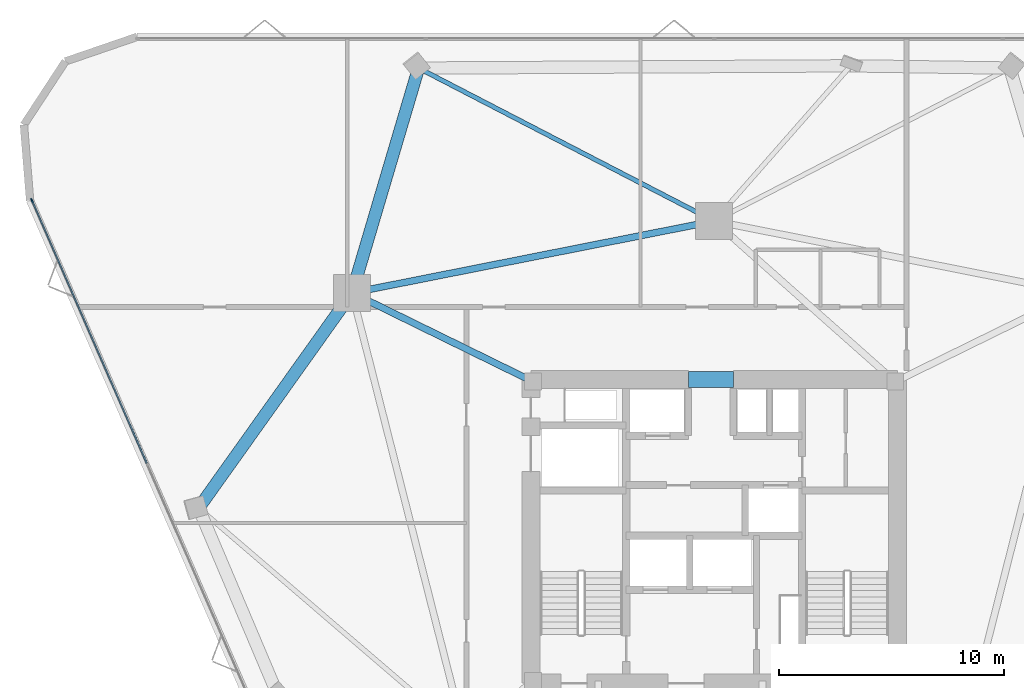
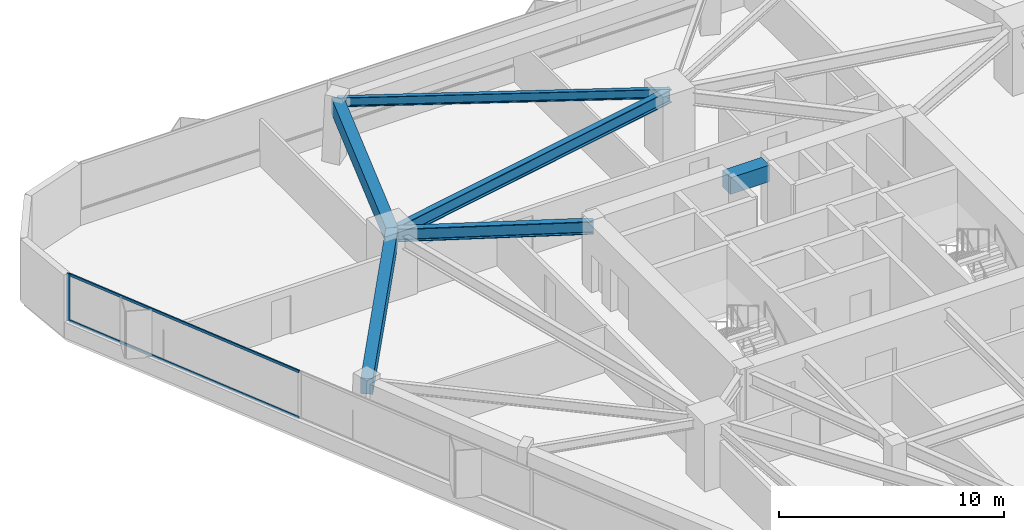
# One storey, part 6 of 16: 6 beams, 3 members, 1 element without a shape of its own.
"""IFC4 building model written with IfcOpenShell, lengths in metres."""

from ifc_helpers import new_model, si_unit, direction, frame, origin, origin_2d, place, context, subcontext, project, spatial, rectangle, i_section, extrude, material, layer, layer_set, material_profile, profile_set, type_object, element, aggregate, save


model = new_model("IFC4")

# Units and contexts
model_context = context("Model", 3, precision=1e-05, world=origin(), true_north=direction((0.0, 1.0)))
body_context = subcontext(model_context, "Body", "Model", "MODEL_VIEW")
ifc_project = project(units=[si_unit("LENGTHUNIT", "METRE"), si_unit("AREAUNIT", "SQUARE_METRE"), si_unit("VOLUMEUNIT", "CUBIC_METRE"), si_unit("PLANEANGLEUNIT", "RADIAN"), si_unit("MASSUNIT", "GRAM", prefix="KILO")], contexts=[model_context])

# Site, building, storey
site_placement = place(None, origin())
site = spatial("IfcSite", under=ifc_project, at=site_placement, CompositionType="ELEMENT")
building_placement = place(site_placement, origin())
building = spatial("IfcBuilding", under=site, at=building_placement, Name="Talyreon Biosciences Tower", CompositionType="ELEMENT")
storey_placement = place(building_placement, frame((0.0, 0.0, 107.85009765625)))
storey = spatial("IfcBuildingStorey", under=building, at=storey_placement, Name="L28", CompositionType="ELEMENT", Elevation=107.85009765625)

# Curtain wall, members
ifc_material_1 = material(Name="Thermally broken aluminium and low-E glazing", Category="aluminium")
ifc_layer = layer(ifc_material_1, 0.18994140625)
ifc_layer_set = layer_set([ifc_layer], Name="Thermally broken aluminium and low-E glazing")
curtain_wall_type = type_object("IfcCurtainWallType", Name="CurtainWall_Zone2Genomics", PredefinedType="NOTDEFINED", material=ifc_layer_set)
curtain_wall_placement = place(storey_placement, origin())
curtain_wall = element("IfcCurtainWall", 1, at=curtain_wall_placement, inside=storey, type_object=curtain_wall_type, Name="L28 Unitised Curtain Wall FCW-L28-00", PredefinedType="NOTDEFINED")
ifc_material_2 = material(Name="Anodised thermally broken aluminium", Category="aluminium")
ifc_material_profile_1 = material_profile(ifc_material_2, rectangle(XDim=0.06494140625, YDim=0.179931640625, at=origin_2d()), Name="ALUM MULLION 65x180")
ifc_profile_set_1 = profile_set([ifc_material_profile_1], Name="Anodised thermally broken aluminium")
member_type_1 = type_object("IfcMemberType", Name="CWMullion_65x180", PredefinedType="MULLION", material=ifc_profile_set_1)
member_1_placement = place(storey_placement, frame((35.66748046875, 82.706787109375, 0.809814453125), z_axis=(0.0, 0.0, 1.0), x_axis=(-0.9163461482, -0.400386983653, 0.0)))
member_1 = element("IfcMember", 2, at=member_1_placement, type_object=member_type_1, Name="CW3 mullion 6", PredefinedType="MULLION", context=body_context, shape_type="SweptSolid", body=[
    extrude(rectangle(XDim=0.06494140625, YDim=0.179931640625, at=origin_2d()), origin(), (0.0, 0.0, 1.0), 2.565185546875),
])
ifc_material_profile_2 = material_profile(ifc_material_2, rectangle(XDim=0.06494140625, YDim=0.139892578125, at=origin_2d()), Name="ALUM TRANSOM 65x140")
ifc_profile_set_2 = profile_set([ifc_material_profile_2], Name="Anodised thermally broken aluminium")
member_type_2 = type_object("IfcMemberType", Name="CWTransom_65x140", PredefinedType="USERDEFINED", material=ifc_profile_set_2)
member_2_placement = place(storey_placement, frame((40.772216796875, 71.02392578125, 0.84228515625), z_axis=(-0.400394797159, 0.916342734138, 0.0), x_axis=(-0.916342734138, -0.400394797159, 0.0)))
member_2 = element("IfcMember", 3, at=member_2_placement, type_object=member_type_2, Name="CW3 transom 5.1", ObjectType="TRANSOM", PredefinedType="USERDEFINED", context=body_context, shape_type="SweptSolid", body=[
    extrude(rectangle(XDim=0.06494140625, YDim=0.139892578125, at=origin_2d()), origin(), (0.0, 0.0, 1.0), 12.717041015625),
])
member_3_placement = place(storey_placement, frame((40.772216796875, 71.02392578125, 3.34228515625), z_axis=(-0.400394797159, 0.916342734138, 0.0), x_axis=(-0.916342734138, -0.400394797159, 0.0)))
member_3 = element("IfcMember", 4, at=member_3_placement, type_object=member_type_2, Name="CW3 transom 5.2", ObjectType="TRANSOM", PredefinedType="USERDEFINED", context=body_context, shape_type="SweptSolid", body=[
    extrude(rectangle(XDim=0.06494140625, YDim=0.139892578125, at=origin_2d()), origin(), (0.0, 0.0, 1.0), 12.717041015625),
])
aggregate(curtain_wall, [member_1, member_2, member_3])

# Beams
ifc_material_3 = material(Name="Concrete C60/75", Category="concrete")
ifc_material_profile_3 = material_profile(ifc_material_3, rectangle(XDim=0.699951171875, YDim=0.89990234375, at=origin_2d()), Name="RCB 700x900")
ifc_profile_set_3 = profile_set([ifc_material_profile_3], Name="Concrete C60/75")
beam_type_1 = type_object("IfcBeamType", Name="CoreCouplingLintel_700x900", PredefinedType="LINTEL", material=ifc_profile_set_3)
beam_1_placement = place(storey_placement, frame((64.85009765625, 74.75, 2.9248046875), z_axis=(1.0, 0.0, 0.0), x_axis=(0.0, 1.0, 0.0)))
element("IfcBeam", 5, at=beam_1_placement, inside=storey, type_object=beam_type_1, Name="L28 Core Coupling Lintel", PredefinedType="LINTEL", context=body_context, shape_type="SweptSolid", body=[
    extrude(rectangle(XDim=0.699951171875, YDim=0.89990234375, at=origin_2d()), origin(), (0.0, 0.0, 1.0), 2.0),
])
ifc_material_4 = material(Name="Precast concrete C45/55", Category="concrete")
ifc_material_profile_4 = material_profile(ifc_material_4, rectangle(XDim=0.550048828125, YDim=0.85009765625, at=origin_2d()), Name="RCB 550x850")
ifc_profile_set_4 = profile_set([ifc_material_profile_4], Name="Precast concrete C45/55")
beam_type_2 = type_object("IfcBeamType", Name="ExpressedSpandrel_550x850", PredefinedType="SPANDREL", material=ifc_profile_set_4)
beam_2_placement = place(storey_placement, frame((52.85595703125, 88.592041015625, 2.949951171875), z_axis=(-0.283845057219, -0.958870159872, 0.0), x_axis=(0.958870159872, -0.283845057219, 0.0)))
element("IfcBeam", 6, at=beam_2_placement, inside=storey, type_object=beam_type_2, Name="L28 Expressed Horizontal Concrete Spandrel 08", PredefinedType="SPANDREL", context=body_context, shape_type="SweptSolid", body=[
    extrude(rectangle(XDim=0.550048828125, YDim=0.85009765625, at=origin_2d()), origin(), (0.0, 0.0, 1.0), 10.422119140625),
])
beam_3_placement = place(storey_placement, frame((49.897705078125, 78.5986328125, 2.949951171875), z_axis=(-0.580483078214, -0.81427231066, 0.0), x_axis=(0.81427231066, -0.580483078214, 0.0)))
element("IfcBeam", 7, at=beam_3_placement, inside=storey, type_object=beam_type_2, Name="L28 Expressed Horizontal Concrete Spandrel 09", PredefinedType="SPANDREL", context=body_context, shape_type="SweptSolid", body=[
    extrude(rectangle(XDim=0.550048828125, YDim=0.85009765625, at=origin_2d()), origin(), (0.0, 0.0, 1.0), 11.748046875),
])
ifc_material_5 = material(Name="Steel SM355", Category="steel")
ifc_material_profile_5 = material_profile(ifc_material_5, i_section(OverallWidth=0.300048828125, OverallDepth=0.699951171875, WebThickness=0.01708984375, FlangeThickness=0.031982421875, FilletRadius=0.027099609375, at=origin_2d()), Name="HE700B")
ifc_profile_set_5 = profile_set([ifc_material_profile_5], Name="Steel SM355")
beam_type_3 = type_object("IfcBeamType", Name="SteelGirder_HE700B", PredefinedType="BEAM", material=ifc_profile_set_5)
beam_4_placement = place(storey_placement, frame((66.0, 81.788818359375, 3.02490234375), z_axis=(-0.980933730698, -0.194342522311, 0.0), x_axis=(0.194342522311, -0.980933730698, 0.0)))
element("IfcBeam", 8, at=beam_4_placement, inside=storey, type_object=beam_type_3, Name="L28 Mega-Ring Girder 4", PredefinedType="BEAM", context=body_context, shape_type="SweptSolid", body=[
    extrude(i_section(OverallWidth=0.300048828125, OverallDepth=0.699951171875, WebThickness=0.01708984375, FlangeThickness=0.031982421875, FilletRadius=0.027099609375, at=origin_2d()), origin(), (0.0, 0.0, 1.0), 16.415283203125),
])
beam_5_placement = place(storey_placement, frame((57.949951171875, 74.64990234375, 3.02490234375), z_axis=(-0.897852360314, 0.440296648952, 0.0), x_axis=(-0.440296648952, -0.897852360314, 0.0)))
element("IfcBeam", 9, at=beam_5_placement, inside=storey, type_object=beam_type_3, Name="L28 Radial Primary Girder 5", PredefinedType="BEAM", context=body_context, shape_type="SweptSolid", body=[
    extrude(i_section(OverallWidth=0.300048828125, OverallDepth=0.699951171875, WebThickness=0.01708984375, FlangeThickness=0.031982421875, FilletRadius=0.027099609375, at=origin_2d()), origin(), (0.0, 0.0, 1.0), 8.96826171875),
])
ifc_material_profile_6 = material_profile(ifc_material_5, i_section(OverallWidth=0.199951171875, OverallDepth=0.5, WebThickness=0.01025390625, FlangeThickness=0.01611328125, FilletRadius=0.02099609375, at=origin_2d()), Name="IPE500")
ifc_profile_set_6 = profile_set([ifc_material_profile_6], Name="Steel SM355")
beam_type_4 = type_object("IfcBeamType", Name="SteelJoist_IPE500", PredefinedType="JOIST", material=ifc_profile_set_6)
beam_6_placement = place(storey_placement, frame((66.0, 81.788818359375, 3.125), z_axis=(-0.888091339175, 0.459667024359, 0.0), x_axis=(-0.459667024359, -0.888091339175, 0.0)))
element("IfcBeam", 10, at=beam_6_placement, inside=storey, type_object=beam_type_4, Name="L28 Radial Composite Floor Joist PC-N2", PredefinedType="JOIST", context=body_context, shape_type="SweptSolid", body=[
    extrude(i_section(OverallWidth=0.199951171875, OverallDepth=0.5, WebThickness=0.01025390625, FlangeThickness=0.01611328125, FilletRadius=0.02099609375, at=origin_2d()), origin(), (0.0, 0.0, 1.0), 14.80029296875),
])

save(model, "model.ifc")
